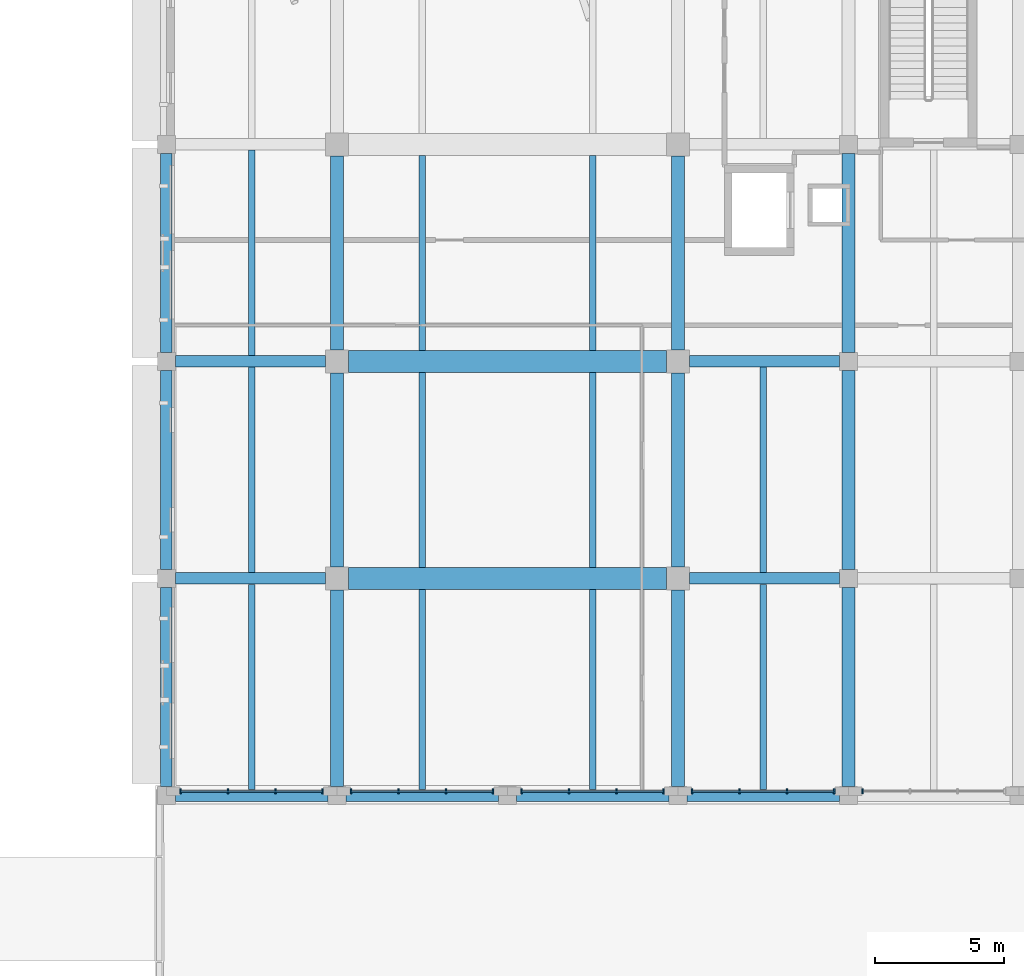
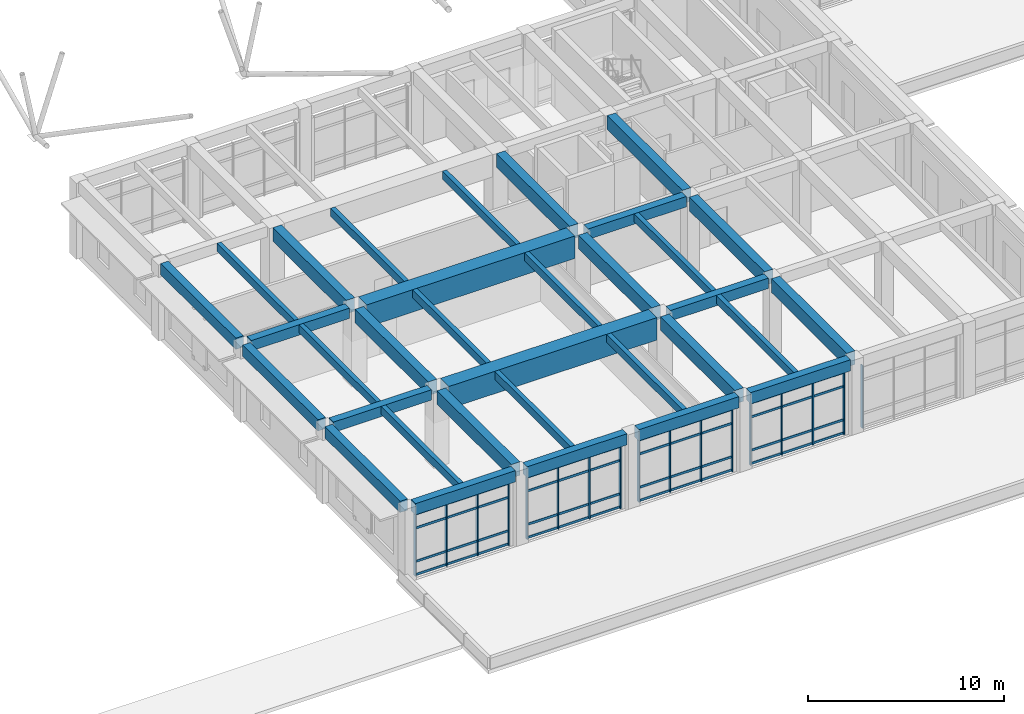
# One storey, part 12 of 75: 33 beams, 33 members, 5 elements without a shape of their own.
"""IFC4 building model written with IfcOpenShell, lengths in metres."""

import ifcopenshell
import ifcopenshell.guid

model = None  # the IFC model being written
_history = None  # IfcOwnerHistory: only IFC2X3 demands one
_inside = {}  # id of a spatial element -> (the spatial element, [elements in it])
_under = {}  # id of a project, library or spatial element -> (it, [spatial elements below it])
_declared = {}  # id of a project -> (the project, [libraries it declares])
_typed = {}  # id of a type object -> (the type object, [elements of that type])
_made_of = {}  # id of a material, layer set ... -> (it, [elements and type objects made of it])


def new_model(schema):
    """Start an empty IFC model of exactly this schema.

    Asked for "IFC4X3", IfcOpenShell would pick the latest addendum, in which some entities
    have other attributes; the version numbers below select the first issue.
    IFC2X3 requires an IfcOwnerHistory on every rooted entity: one is made here for all.
    """
    global model, _history
    if schema == "IFC4X3":
        model = ifcopenshell.file(schema_version=(4, 3, 0, 0))
    else:
        model = ifcopenshell.file(schema=schema)
    _inside.clear()
    _under.clear()
    _declared.clear()
    _typed.clear()
    _made_of.clear()
    _history = None
    if model.schema == "IFC2X3":
        org = make("IfcOrganization", Name="unknown")
        user = make(
            "IfcPersonAndOrganization",
            ThePerson=make("IfcPerson", FamilyName="unknown"),
            TheOrganization=org,
        )
        app = make(
            "IfcApplication",
            ApplicationDeveloper=org,
            Version="unknown",
            ApplicationFullName="unknown",
            ApplicationIdentifier="unknown",
        )
        _history = make(
            "IfcOwnerHistory",
            OwningUser=user,
            OwningApplication=app,
            ChangeAction="ADDED",
            CreationDate=0,
        )
    return model


def make(cls, **values):
    """One entity of the class cls with the attributes given. An attribute that is None is left unset."""
    return model.create_entity(
        cls, **{name: value for name, value in values.items() if value is not None}
    )


def rooted(cls, **values):
    """An entity with a GlobalId (a new one), such as an element, a storey or a relation."""
    return make(cls, GlobalId=ifcopenshell.guid.new(), OwnerHistory=_history, **values)


def si_unit(unit_type, name, prefix=None):
    """IfcSIUnit, for example si_unit("LENGTHUNIT", "METRE", prefix="MILLI")."""
    return make("IfcSIUnit", UnitType=unit_type, Prefix=prefix, Name=name)


def assignment(units):
    """IfcUnitAssignment: the units of a project."""
    return None if units is None else make("IfcUnitAssignment", Units=units)


def point(xyz):
    """IfcCartesianPoint."""
    return None if xyz is None else make("IfcCartesianPoint", Coordinates=xyz)


def direction(xyz):
    """IfcDirection."""
    return None if xyz is None else make("IfcDirection", DirectionRatios=xyz)


def frame(location, z_axis=None, x_axis=None):
    """IfcAxis2Placement3D, a coordinate frame: its origin and axes. An axis left out is left unset."""
    return make(
        "IfcAxis2Placement3D",
        Location=point(location),
        Axis=direction(z_axis),
        RefDirection=direction(x_axis),
    )


def frame_2d(location, x_axis=None):
    """IfcAxis2Placement2D, a coordinate frame in the plane: its origin and x axis."""
    return make(
        "IfcAxis2Placement2D", Location=point(location), RefDirection=direction(x_axis)
    )


def origin():
    """The frame at (0, 0, 0) with its axes left unset."""
    return frame((0.0, 0.0, 0.0))


def origin_2d():
    """The frame at (0, 0) in the plane with its x axis left unset."""
    return frame_2d((0.0, 0.0))


def place(relative_to, where):
    """IfcLocalPlacement: puts the frame where relative to a parent placement (None: the world)."""
    return make(
        "IfcLocalPlacement", PlacementRelTo=relative_to, RelativePlacement=where
    )


def context(
    kind, dimensions, precision=None, world=None, true_north=None, identifier=None
):
    """IfcGeometricRepresentationContext, for example the 3D "Model" context."""
    return make(
        "IfcGeometricRepresentationContext",
        ContextIdentifier=identifier,
        ContextType=kind,
        CoordinateSpaceDimension=dimensions,
        Precision=precision,
        WorldCoordinateSystem=world,
        TrueNorth=true_north,
    )


def subcontext(parent, identifier, kind, view, scale=None):
    """IfcGeometricRepresentationSubContext, for example "Body" below "Model"."""
    return make(
        "IfcGeometricRepresentationSubContext",
        ContextIdentifier=identifier,
        ContextType=kind,
        ParentContext=parent,
        TargetScale=scale,
        TargetView=view,
    )


def project(units=None, contexts=None):
    """IfcProject with its units and contexts."""
    return rooted(
        "IfcProject",
        Name="project",
        RepresentationContexts=contexts,
        UnitsInContext=assignment(units),
    )


def spatial(cls, under=None, at=None, **own):
    """A site, building, storey or space (cls), placed at a placement, below another one or the project."""
    s = rooted(cls, ObjectPlacement=at, **own)
    if under is not None:
        _under.setdefault(under.id(), (under, []))[1].append(s)
    return s


def profile(cls, at=None, kind="AREA", **sizes):
    """A parametric profile (cls). Its sizes go by their IFC names, for example OverallWidth=200.0."""
    return make(cls, ProfileType=kind, Position=at, **sizes)


def rectangle(**sizes):
    """IfcRectangleProfileDef."""
    return profile("IfcRectangleProfileDef", **sizes)


def extrude(swept, where, along, depth):
    """IfcExtrudedAreaSolid: the profile swept, set in the frame where, extruded along a direction by depth."""
    return make(
        "IfcExtrudedAreaSolid",
        SweptArea=swept,
        Position=where,
        ExtrudedDirection=direction(along),
        Depth=depth,
    )


def shape(context_of_items, identifier, shape_type, items):
    """IfcShapeRepresentation: the items that make up one representation, for example the "Body"."""
    return make(
        "IfcShapeRepresentation",
        ContextOfItems=context_of_items,
        RepresentationIdentifier=identifier,
        RepresentationType=shape_type,
        Items=items,
    )


def material(Name=None, Category=None):
    """IfcMaterial."""
    return make("IfcMaterial", Name=Name, Category=Category)


def layer(
    of_material, thickness, ventilated=None, Name=None, Category=None, Priority=None
):
    """IfcMaterialLayer: one layer of a wall or slab, of a material (None: an air gap)."""
    return make(
        "IfcMaterialLayer",
        Material=of_material,
        LayerThickness=thickness,
        IsVentilated=ventilated,
        Name=Name,
        Category=Category,
        Priority=Priority,
    )


def layer_set(layers, Name=None):
    """IfcMaterialLayerSet."""
    return make("IfcMaterialLayerSet", MaterialLayers=layers, LayerSetName=Name)


def material_profile(
    of_material, cross_section, Name=None, Category=None, Priority=None
):
    """IfcMaterialProfile: a cross section and its material."""
    return make(
        "IfcMaterialProfile",
        Name=Name,
        Material=of_material,
        Profile=cross_section,
        Priority=Priority,
        Category=Category,
    )


def profile_set(profiles, Name=None, composite=None):
    """IfcMaterialProfileSet."""
    return make(
        "IfcMaterialProfileSet",
        Name=Name,
        MaterialProfiles=profiles,
        CompositeProfile=composite,
    )


def made_of(thing, what):
    """Note that an element or type object is made of a material, layer set ...; save() writes the relation."""
    if what is not None:
        _made_of.setdefault(what.id(), (what, []))[1].append(thing)
    return thing


def type_object(cls, material=None, **own):
    """A type object (cls), such as IfcWallType, which elements share."""
    return made_of(rooted(cls, **own), material)


def element(
    cls,
    number,
    at=None,
    inside=None,
    cuts=None,
    type_object=None,
    material=None,
    context=None,
    identifier="Body",
    shape_type=None,
    held_by="IfcProductDefinitionShape",
    body=None,
    shapes=None,
    **own,
):
    """One element of the class cls, such as IfcWall. Its Tag is "e" and its number.

    at: its placement. inside: the storey or other place that contains it. cuts: it is an
    opening in that element (IfcRelVoidsElement). A single representation is given by context,
    identifier, shape_type and body (its items); several are given by shapes. held_by: the class
    of the entity that holds the representations. save() writes the other relations.
    """
    e = rooted(cls, Tag="e%d" % number, ObjectPlacement=at, **own)
    if body is not None:
        shapes = [shape(context, identifier, shape_type, body)]
    if shapes is not None:
        e.Representation = make(held_by, Representations=shapes)
    if inside is not None:
        _inside.setdefault(inside.id(), (inside, []))[1].append(e)
    if cuts is not None:
        rooted(
            "IfcRelVoidsElement", RelatingBuildingElement=cuts, RelatedOpeningElement=e
        )
    if type_object is not None:
        _typed.setdefault(type_object.id(), (type_object, []))[1].append(e)
    return made_of(e, material)


def aggregate(whole, parts):
    """IfcRelAggregates: a whole, such as a stair, and the parts it consists of."""
    return rooted("IfcRelAggregates", RelatingObject=whole, RelatedObjects=parts)


def save(model, path):
    """Write the relations noted so far, then the file.

    IfcRelAggregates (storeys below a building ...), IfcRelContainedInSpatialStructure (elements
    in a storey), IfcRelDefinesByType, IfcRelAssociatesMaterial and IfcRelDeclares: one each for
    every whole, place, type object, material and project.
    """
    for whole, parts in _under.values():
        aggregate(whole, parts)
    for where, things in _inside.values():
        rooted(
            "IfcRelContainedInSpatialStructure",
            RelatedElements=things,
            RelatingStructure=where,
        )
    for kind, things in _typed.values():
        rooted("IfcRelDefinesByType", RelatedObjects=things, RelatingType=kind)
    for what, things in _made_of.values():
        rooted("IfcRelAssociatesMaterial", RelatedObjects=things, RelatingMaterial=what)
    for by, libraries in _declared.values():
        rooted("IfcRelDeclares", RelatingContext=by, RelatedDefinitions=libraries)
    model.write(path)


model = new_model("IFC4")

# Units and contexts
model_context = context("Model", 3, precision=1e-05, world=origin(), true_north=direction((0.0, 1.0)))
body_context = subcontext(model_context, "Body", "Model", "MODEL_VIEW")
ifc_project = project(units=[si_unit("LENGTHUNIT", "METRE"), si_unit("AREAUNIT", "SQUARE_METRE"), si_unit("VOLUMEUNIT", "CUBIC_METRE"), si_unit("PLANEANGLEUNIT", "RADIAN"), si_unit("MASSUNIT", "GRAM", prefix="KILO")], contexts=[model_context])

# Site, building, storey
site_placement = place(None, origin())
site = spatial("IfcSite", under=ifc_project, at=site_placement, CompositionType="ELEMENT")
building_placement = place(site_placement, origin())
building = spatial("IfcBuilding", under=site, at=building_placement, Name="Kolvaren Faculty of Natural Sciences", CompositionType="ELEMENT")
storey_placement = place(building_placement, frame((0.0, 0.0, 5.39990234375)))
storey = spatial("IfcBuildingStorey", under=building, at=storey_placement, Name="L01", CompositionType="ELEMENT", Elevation=5.39990234375)

# Curtain wall, member
ifc_material_1 = material(Name="Thermally broken anodised aluminium framing", Category="aluminium")
ifc_layer = layer(ifc_material_1, 0.179931640625)
ifc_layer_set = layer_set([ifc_layer], Name="Thermally broken anodised aluminium framing")
curtain_wall_type = type_object("IfcCurtainWallType", Name="CommonsCurtainWall_CW02", PredefinedType="NOTDEFINED", material=ifc_layer_set)
curtain_wall_1_placement = place(storey_placement, origin())
curtain_wall_1 = element("IfcCurtainWall", 1, at=curtain_wall_1_placement, inside=storey, type_object=curtain_wall_type, Name="L01 unitised curtain wall CW-02 (CW-L01-043)", PredefinedType="NOTDEFINED")
ifc_material_profile_1 = material_profile(ifc_material_1, rectangle(XDim=0.06005859375, YDim=0.179931640625, at=origin_2d()), Name="ALU MUL 60x180")
ifc_profile_set_1 = profile_set([ifc_material_profile_1], Name="Thermally broken anodised aluminium framing")
member_type_1 = type_object("IfcMemberType", Name="CurtainMullion_60x180", PredefinedType="MULLION", material=ifc_profile_set_1)
member_1_placement = place(storey_placement, frame((126.14990234375, 8.760009765625, 0.0), z_axis=(0.0, 0.0, 1.0), x_axis=(-1.0, 0.0, 0.0)))
member_1 = element("IfcMember", 2, at=member_1_placement, type_object=member_type_1, Name="CW-L01-043 vertical mullion 4", PredefinedType="MULLION", context=body_context, shape_type="SweptSolid", body=[
    extrude(rectangle(XDim=0.06005859375, YDim=0.179931640625, at=origin_2d()), origin(), (0.0, 0.0, 1.0), 3.93505859375),
])
aggregate(curtain_wall_1, [member_1])

# Curtain wall, members
curtain_wall_2_placement = place(storey_placement, origin())
curtain_wall_2 = element("IfcCurtainWall", 3, at=curtain_wall_2_placement, inside=storey, type_object=curtain_wall_type, Name="L01 unitised curtain wall CW-02 (CW-L01-044)", PredefinedType="NOTDEFINED")
member_2_placement = place(storey_placement, frame((125.050048828125, 8.760009765625, 0.0), z_axis=(0.0, 0.0, 1.0), x_axis=(-1.0, 0.0, 0.0)))
member_2 = element("IfcMember", 4, at=member_2_placement, type_object=member_type_1, Name="CW-L01-044 vertical mullion 1", PredefinedType="MULLION", context=body_context, shape_type="SweptSolid", body=[
    extrude(rectangle(XDim=0.06005859375, YDim=0.179931640625, at=origin_2d()), origin(), (0.0, 0.0, 1.0), 3.93505859375),
])
member_3_placement = place(storey_placement, frame((123.216796875, 8.760009765625, 0.0), z_axis=(0.0, 0.0, 1.0), x_axis=(-1.0, 0.0, 0.0)))
member_3 = element("IfcMember", 5, at=member_3_placement, type_object=member_type_1, Name="CW-L01-044 vertical mullion 2", PredefinedType="MULLION", context=body_context, shape_type="SweptSolid", body=[
    extrude(rectangle(XDim=0.06005859375, YDim=0.179931640625, at=origin_2d()), origin(), (0.0, 0.0, 1.0), 3.93505859375),
])
member_4_placement = place(storey_placement, frame((121.38330078125, 8.760009765625, 0.0), z_axis=(0.0, 0.0, 1.0), x_axis=(-1.0, 0.0, 0.0)))
member_4 = element("IfcMember", 6, at=member_4_placement, type_object=member_type_1, Name="CW-L01-044 vertical mullion 3", PredefinedType="MULLION", context=body_context, shape_type="SweptSolid", body=[
    extrude(rectangle(XDim=0.06005859375, YDim=0.179931640625, at=origin_2d()), origin(), (0.0, 0.0, 1.0), 3.93505859375),
])
member_5_placement = place(storey_placement, frame((119.550048828125, 8.760009765625, 0.0), z_axis=(0.0, 0.0, 1.0), x_axis=(-1.0, 0.0, 0.0)))
member_5 = element("IfcMember", 7, at=member_5_placement, type_object=member_type_1, Name="CW-L01-044 vertical mullion 4", PredefinedType="MULLION", context=body_context, shape_type="SweptSolid", body=[
    extrude(rectangle(XDim=0.06005859375, YDim=0.179931640625, at=origin_2d()), origin(), (0.0, 0.0, 1.0), 3.93505859375),
])

curtain_wall_3_placement = place(storey_placement, origin())
curtain_wall_3 = element("IfcCurtainWall", 8, at=curtain_wall_3_placement, inside=storey, type_object=curtain_wall_type, Name="L01 unitised curtain wall CW-02 (CW-L01-045)", PredefinedType="NOTDEFINED")
member_6_placement = place(storey_placement, frame((118.449951171875, 8.760009765625, 0.0), z_axis=(0.0, 0.0, 1.0), x_axis=(-1.0, 0.0, 0.0)))
member_6 = element("IfcMember", 9, at=member_6_placement, type_object=member_type_1, Name="CW-L01-045 vertical mullion 1", PredefinedType="MULLION", context=body_context, shape_type="SweptSolid", body=[
    extrude(rectangle(XDim=0.06005859375, YDim=0.179931640625, at=origin_2d()), origin(), (0.0, 0.0, 1.0), 3.93505859375),
])
member_7_placement = place(storey_placement, frame((116.61669921875, 8.760009765625, 0.0), z_axis=(0.0, 0.0, 1.0), x_axis=(-1.0, 0.0, 0.0)))
member_7 = element("IfcMember", 10, at=member_7_placement, type_object=member_type_1, Name="CW-L01-045 vertical mullion 2", PredefinedType="MULLION", context=body_context, shape_type="SweptSolid", body=[
    extrude(rectangle(XDim=0.06005859375, YDim=0.179931640625, at=origin_2d()), origin(), (0.0, 0.0, 1.0), 3.93505859375),
])
member_8_placement = place(storey_placement, frame((114.783203125, 8.760009765625, 0.0), z_axis=(0.0, 0.0, 1.0), x_axis=(-1.0, 0.0, 0.0)))
member_8 = element("IfcMember", 11, at=member_8_placement, type_object=member_type_1, Name="CW-L01-045 vertical mullion 3", PredefinedType="MULLION", context=body_context, shape_type="SweptSolid", body=[
    extrude(rectangle(XDim=0.06005859375, YDim=0.179931640625, at=origin_2d()), origin(), (0.0, 0.0, 1.0), 3.93505859375),
])
member_9_placement = place(storey_placement, frame((112.949951171875, 8.760009765625, 0.0), z_axis=(0.0, 0.0, 1.0), x_axis=(-1.0, 0.0, 0.0)))
member_9 = element("IfcMember", 12, at=member_9_placement, type_object=member_type_1, Name="CW-L01-045 vertical mullion 4", PredefinedType="MULLION", context=body_context, shape_type="SweptSolid", body=[
    extrude(rectangle(XDim=0.06005859375, YDim=0.179931640625, at=origin_2d()), origin(), (0.0, 0.0, 1.0), 3.93505859375),
])

curtain_wall_4_placement = place(storey_placement, origin())
curtain_wall_4 = element("IfcCurtainWall", 13, at=curtain_wall_4_placement, inside=storey, type_object=curtain_wall_type, Name="L01 unitised curtain wall CW-02 (CW-L01-046)", PredefinedType="NOTDEFINED")
member_10_placement = place(storey_placement, frame((111.85009765625, 8.760009765625, 0.0), z_axis=(0.0, 0.0, 1.0), x_axis=(-1.0, 0.0, 0.0)))
member_10 = element("IfcMember", 14, at=member_10_placement, type_object=member_type_1, Name="CW-L01-046 vertical mullion 1", PredefinedType="MULLION", context=body_context, shape_type="SweptSolid", body=[
    extrude(rectangle(XDim=0.06005859375, YDim=0.179931640625, at=origin_2d()), origin(), (0.0, 0.0, 1.0), 3.93505859375),
])
member_11_placement = place(storey_placement, frame((110.0166015625, 8.760009765625, 0.0), z_axis=(0.0, 0.0, 1.0), x_axis=(-1.0, 0.0, 0.0)))
member_11 = element("IfcMember", 15, at=member_11_placement, type_object=member_type_1, Name="CW-L01-046 vertical mullion 2", PredefinedType="MULLION", context=body_context, shape_type="SweptSolid", body=[
    extrude(rectangle(XDim=0.06005859375, YDim=0.179931640625, at=origin_2d()), origin(), (0.0, 0.0, 1.0), 3.93505859375),
])
member_12_placement = place(storey_placement, frame((108.183349609375, 8.760009765625, 0.0), z_axis=(0.0, 0.0, 1.0), x_axis=(-1.0, 0.0, 0.0)))
member_12 = element("IfcMember", 16, at=member_12_placement, type_object=member_type_1, Name="CW-L01-046 vertical mullion 3", PredefinedType="MULLION", context=body_context, shape_type="SweptSolid", body=[
    extrude(rectangle(XDim=0.06005859375, YDim=0.179931640625, at=origin_2d()), origin(), (0.0, 0.0, 1.0), 3.93505859375),
])
member_13_placement = place(storey_placement, frame((106.35009765625, 8.760009765625, 0.0), z_axis=(0.0, 0.0, 1.0), x_axis=(-1.0, 0.0, 0.0)))
member_13 = element("IfcMember", 17, at=member_13_placement, type_object=member_type_1, Name="CW-L01-046 vertical mullion 4", PredefinedType="MULLION", context=body_context, shape_type="SweptSolid", body=[
    extrude(rectangle(XDim=0.06005859375, YDim=0.179931640625, at=origin_2d()), origin(), (0.0, 0.0, 1.0), 3.93505859375),
])

curtain_wall_5_placement = place(storey_placement, origin())
curtain_wall_5 = element("IfcCurtainWall", 18, at=curtain_wall_5_placement, inside=storey, type_object=curtain_wall_type, Name="L01 unitised curtain wall CW-02 (CW-L01-047)", PredefinedType="NOTDEFINED")
member_14_placement = place(storey_placement, frame((105.25, 8.760009765625, 0.0), z_axis=(0.0, 0.0, 1.0), x_axis=(-1.0, 0.0, 0.0)))
member_14 = element("IfcMember", 19, at=member_14_placement, type_object=member_type_1, Name="CW-L01-047 vertical mullion 1", PredefinedType="MULLION", context=body_context, shape_type="SweptSolid", body=[
    extrude(rectangle(XDim=0.06005859375, YDim=0.179931640625, at=origin_2d()), origin(), (0.0, 0.0, 1.0), 3.93505859375),
])
member_15_placement = place(storey_placement, frame((103.416748046875, 8.760009765625, 0.0), z_axis=(0.0, 0.0, 1.0), x_axis=(-1.0, 0.0, 0.0)))
member_15 = element("IfcMember", 20, at=member_15_placement, type_object=member_type_1, Name="CW-L01-047 vertical mullion 2", PredefinedType="MULLION", context=body_context, shape_type="SweptSolid", body=[
    extrude(rectangle(XDim=0.06005859375, YDim=0.179931640625, at=origin_2d()), origin(), (0.0, 0.0, 1.0), 3.93505859375),
])
member_16_placement = place(storey_placement, frame((101.583251953125, 8.760009765625, 0.0), z_axis=(0.0, 0.0, 1.0), x_axis=(-1.0, 0.0, 0.0)))
member_16 = element("IfcMember", 21, at=member_16_placement, type_object=member_type_1, Name="CW-L01-047 vertical mullion 3", PredefinedType="MULLION", context=body_context, shape_type="SweptSolid", body=[
    extrude(rectangle(XDim=0.06005859375, YDim=0.179931640625, at=origin_2d()), origin(), (0.0, 0.0, 1.0), 3.93505859375),
])
member_17_placement = place(storey_placement, frame((99.75, 8.760009765625, 0.0), z_axis=(0.0, 0.0, 1.0), x_axis=(-1.0, 0.0, 0.0)))
member_17 = element("IfcMember", 22, at=member_17_placement, type_object=member_type_1, Name="CW-L01-047 vertical mullion 4", PredefinedType="MULLION", context=body_context, shape_type="SweptSolid", body=[
    extrude(rectangle(XDim=0.06005859375, YDim=0.179931640625, at=origin_2d()), origin(), (0.0, 0.0, 1.0), 3.93505859375),
])

# Member
ifc_material_profile_2 = material_profile(ifc_material_1, rectangle(XDim=0.06005859375, YDim=0.139892578125, at=origin_2d()), Name="ALU TRN 60x140")
ifc_profile_set_2 = profile_set([ifc_material_profile_2], Name="Thermally broken anodised aluminium framing")
member_type_2 = type_object("IfcMemberType", Name="CurtainTransom_60x140", PredefinedType="USERDEFINED", material=ifc_profile_set_2)
member_18_placement = place(storey_placement, frame((125.050048828125, 8.760009765625, 0.080078125), z_axis=(-1.0, 0.0, 0.0), x_axis=(0.0, -1.0, 0.0)))
member_18 = element("IfcMember", 23, at=member_18_placement, type_object=member_type_2, Name="CW-L01-044 horizontal transom 1", ObjectType="TRANSOM", PredefinedType="USERDEFINED", context=body_context, shape_type="SweptSolid", body=[
    extrude(rectangle(XDim=0.06005859375, YDim=0.139892578125, at=origin_2d()), origin(), (0.0, 0.0, 1.0), 5.5),
])

member_19_placement = place(storey_placement, frame((125.050048828125, 8.760009765625, 0.900146484375), z_axis=(-1.0, 0.0, 0.0), x_axis=(0.0, -1.0, 0.0)))
member_19 = element("IfcMember", 24, at=member_19_placement, type_object=member_type_2, Name="CW-L01-044 horizontal transom 2", ObjectType="TRANSOM", PredefinedType="USERDEFINED", context=body_context, shape_type="SweptSolid", body=[
    extrude(rectangle(XDim=0.06005859375, YDim=0.139892578125, at=origin_2d()), origin(), (0.0, 0.0, 1.0), 5.5),
])

member_20_placement = place(storey_placement, frame((125.050048828125, 8.760009765625, 2.985107421875), z_axis=(-1.0, 0.0, 0.0), x_axis=(0.0, -1.0, 0.0)))
member_20 = element("IfcMember", 25, at=member_20_placement, type_object=member_type_2, Name="CW-L01-044 horizontal transom 3", ObjectType="TRANSOM", PredefinedType="USERDEFINED", context=body_context, shape_type="SweptSolid", body=[
    extrude(rectangle(XDim=0.06005859375, YDim=0.139892578125, at=origin_2d()), origin(), (0.0, 0.0, 1.0), 5.5),
])

member_21_placement = place(storey_placement, frame((125.050048828125, 8.760009765625, 3.85498046875), z_axis=(-1.0, 0.0, 0.0), x_axis=(0.0, -1.0, 0.0)))
member_21 = element("IfcMember", 26, at=member_21_placement, type_object=member_type_2, Name="CW-L01-044 horizontal transom 4", ObjectType="TRANSOM", PredefinedType="USERDEFINED", context=body_context, shape_type="SweptSolid", body=[
    extrude(rectangle(XDim=0.06005859375, YDim=0.139892578125, at=origin_2d()), origin(), (0.0, 0.0, 1.0), 5.5),
])

aggregate(curtain_wall_2, [member_2, member_3, member_4, member_5, member_18, member_19, member_20, member_21])

member_22_placement = place(storey_placement, frame((118.449951171875, 8.760009765625, 0.080078125), z_axis=(-1.0, 0.0, 0.0), x_axis=(0.0, -1.0, 0.0)))
member_22 = element("IfcMember", 27, at=member_22_placement, type_object=member_type_2, Name="CW-L01-045 horizontal transom 1", ObjectType="TRANSOM", PredefinedType="USERDEFINED", context=body_context, shape_type="SweptSolid", body=[
    extrude(rectangle(XDim=0.06005859375, YDim=0.139892578125, at=origin_2d()), origin(), (0.0, 0.0, 1.0), 5.5),
])

member_23_placement = place(storey_placement, frame((118.449951171875, 8.760009765625, 0.900146484375), z_axis=(-1.0, 0.0, 0.0), x_axis=(0.0, -1.0, 0.0)))
member_23 = element("IfcMember", 28, at=member_23_placement, type_object=member_type_2, Name="CW-L01-045 horizontal transom 2", ObjectType="TRANSOM", PredefinedType="USERDEFINED", context=body_context, shape_type="SweptSolid", body=[
    extrude(rectangle(XDim=0.06005859375, YDim=0.139892578125, at=origin_2d()), origin(), (0.0, 0.0, 1.0), 5.5),
])

member_24_placement = place(storey_placement, frame((118.449951171875, 8.760009765625, 2.985107421875), z_axis=(-1.0, 0.0, 0.0), x_axis=(0.0, -1.0, 0.0)))
member_24 = element("IfcMember", 29, at=member_24_placement, type_object=member_type_2, Name="CW-L01-045 horizontal transom 3", ObjectType="TRANSOM", PredefinedType="USERDEFINED", context=body_context, shape_type="SweptSolid", body=[
    extrude(rectangle(XDim=0.06005859375, YDim=0.139892578125, at=origin_2d()), origin(), (0.0, 0.0, 1.0), 5.5),
])

member_25_placement = place(storey_placement, frame((118.449951171875, 8.760009765625, 3.85498046875), z_axis=(-1.0, 0.0, 0.0), x_axis=(0.0, -1.0, 0.0)))
member_25 = element("IfcMember", 30, at=member_25_placement, type_object=member_type_2, Name="CW-L01-045 horizontal transom 4", ObjectType="TRANSOM", PredefinedType="USERDEFINED", context=body_context, shape_type="SweptSolid", body=[
    extrude(rectangle(XDim=0.06005859375, YDim=0.139892578125, at=origin_2d()), origin(), (0.0, 0.0, 1.0), 5.5),
])

aggregate(curtain_wall_3, [member_6, member_7, member_8, member_9, member_22, member_23, member_24, member_25])

member_26_placement = place(storey_placement, frame((111.85009765625, 8.760009765625, 0.080078125), z_axis=(-1.0, 0.0, 0.0), x_axis=(0.0, -1.0, 0.0)))
member_26 = element("IfcMember", 31, at=member_26_placement, type_object=member_type_2, Name="CW-L01-046 horizontal transom 1", ObjectType="TRANSOM", PredefinedType="USERDEFINED", context=body_context, shape_type="SweptSolid", body=[
    extrude(rectangle(XDim=0.06005859375, YDim=0.139892578125, at=origin_2d()), origin(), (0.0, 0.0, 1.0), 5.5),
])

member_27_placement = place(storey_placement, frame((111.85009765625, 8.760009765625, 0.900146484375), z_axis=(-1.0, 0.0, 0.0), x_axis=(0.0, -1.0, 0.0)))
member_27 = element("IfcMember", 32, at=member_27_placement, type_object=member_type_2, Name="CW-L01-046 horizontal transom 2", ObjectType="TRANSOM", PredefinedType="USERDEFINED", context=body_context, shape_type="SweptSolid", body=[
    extrude(rectangle(XDim=0.06005859375, YDim=0.139892578125, at=origin_2d()), origin(), (0.0, 0.0, 1.0), 5.5),
])

member_28_placement = place(storey_placement, frame((111.85009765625, 8.760009765625, 2.985107421875), z_axis=(-1.0, 0.0, 0.0), x_axis=(0.0, -1.0, 0.0)))
member_28 = element("IfcMember", 33, at=member_28_placement, type_object=member_type_2, Name="CW-L01-046 horizontal transom 3", ObjectType="TRANSOM", PredefinedType="USERDEFINED", context=body_context, shape_type="SweptSolid", body=[
    extrude(rectangle(XDim=0.06005859375, YDim=0.139892578125, at=origin_2d()), origin(), (0.0, 0.0, 1.0), 5.5),
])

member_29_placement = place(storey_placement, frame((111.85009765625, 8.760009765625, 3.85498046875), z_axis=(-1.0, 0.0, 0.0), x_axis=(0.0, -1.0, 0.0)))
member_29 = element("IfcMember", 34, at=member_29_placement, type_object=member_type_2, Name="CW-L01-046 horizontal transom 4", ObjectType="TRANSOM", PredefinedType="USERDEFINED", context=body_context, shape_type="SweptSolid", body=[
    extrude(rectangle(XDim=0.06005859375, YDim=0.139892578125, at=origin_2d()), origin(), (0.0, 0.0, 1.0), 5.5),
])

aggregate(curtain_wall_4, [member_10, member_11, member_12, member_13, member_26, member_27, member_28, member_29])

member_30_placement = place(storey_placement, frame((105.25, 8.760009765625, 0.080078125), z_axis=(-1.0, 0.0, 0.0), x_axis=(0.0, -1.0, 0.0)))
member_30 = element("IfcMember", 35, at=member_30_placement, type_object=member_type_2, Name="CW-L01-047 horizontal transom 1", ObjectType="TRANSOM", PredefinedType="USERDEFINED", context=body_context, shape_type="SweptSolid", body=[
    extrude(rectangle(XDim=0.06005859375, YDim=0.139892578125, at=origin_2d()), origin(), (0.0, 0.0, 1.0), 5.5),
])

member_31_placement = place(storey_placement, frame((105.25, 8.760009765625, 0.900146484375), z_axis=(-1.0, 0.0, 0.0), x_axis=(0.0, -1.0, 0.0)))
member_31 = element("IfcMember", 36, at=member_31_placement, type_object=member_type_2, Name="CW-L01-047 horizontal transom 2", ObjectType="TRANSOM", PredefinedType="USERDEFINED", context=body_context, shape_type="SweptSolid", body=[
    extrude(rectangle(XDim=0.06005859375, YDim=0.139892578125, at=origin_2d()), origin(), (0.0, 0.0, 1.0), 5.5),
])

member_32_placement = place(storey_placement, frame((105.25, 8.760009765625, 2.985107421875), z_axis=(-1.0, 0.0, 0.0), x_axis=(0.0, -1.0, 0.0)))
member_32 = element("IfcMember", 37, at=member_32_placement, type_object=member_type_2, Name="CW-L01-047 horizontal transom 3", ObjectType="TRANSOM", PredefinedType="USERDEFINED", context=body_context, shape_type="SweptSolid", body=[
    extrude(rectangle(XDim=0.06005859375, YDim=0.139892578125, at=origin_2d()), origin(), (0.0, 0.0, 1.0), 5.5),
])

member_33_placement = place(storey_placement, frame((105.25, 8.760009765625, 3.85498046875), z_axis=(-1.0, 0.0, 0.0), x_axis=(0.0, -1.0, 0.0)))
member_33 = element("IfcMember", 38, at=member_33_placement, type_object=member_type_2, Name="CW-L01-047 horizontal transom 4", ObjectType="TRANSOM", PredefinedType="USERDEFINED", context=body_context, shape_type="SweptSolid", body=[
    extrude(rectangle(XDim=0.06005859375, YDim=0.139892578125, at=origin_2d()), origin(), (0.0, 0.0, 1.0), 5.5),
])

aggregate(curtain_wall_5, [member_14, member_15, member_16, member_17, member_30, member_31, member_32, member_33])

# Beams
ifc_material_2 = material(Name="Concrete C35/45", Category="concrete")
ifc_material_profile_3 = material_profile(ifc_material_2, rectangle(XDim=0.449951171875, YDim=0.64990234375, at=origin_2d()), Name="RC BM 450x650")
ifc_profile_set_3 = profile_set([ifc_material_profile_3], Name="Concrete C35/45")
beam_type_1 = type_object("IfcBeamType", Name="GridBeam_450x650", PredefinedType="BEAM", material=ifc_profile_set_3)
for number, where, z_axis, x_axis, name in (
    (39, (99.550048828125, 17.0, 4.47509765625), (1.0, 0.0, 0.0), (0.0, 1.0, 0.0), "L01 beam BM-65 on grid C"),
    (40, (119.449951171875, 17.0, 4.47509765625), (1.0, 0.0, 0.0), (0.0, 1.0, 0.0), "L01 beam BM-65 on grid C"),
    (41, (99.550048828125, 25.39990234375, 4.47509765625), (1.0, 0.0, 0.0), (0.0, 1.0, 0.0), "L01 beam BM-65 on grid D"),
    (42, (119.449951171875, 25.39990234375, 4.47509765625), (1.0, 0.0, 0.0), (0.0, 1.0, 0.0), "L01 beam BM-65 on grid D"),
):
    element("IfcBeam", number, at=place(storey_placement, frame(where, z_axis=z_axis, x_axis=x_axis)), inside=storey, type_object=beam_type_1, Name=name, PredefinedType="BEAM", context=body_context, shape_type="SweptSolid", body=[
        extrude(rectangle(XDim=0.449951171875, YDim=0.64990234375, at=origin_2d()), origin(), (0.0, 0.0, 1.0), 5.800048828125),
    ])
ifc_material_profile_4 = material_profile(ifc_material_2, rectangle(XDim=0.260009765625, YDim=0.5, at=origin_2d()), Name="RC JST 260x500")
ifc_profile_set_4 = profile_set([ifc_material_profile_4], Name="Concrete C35/45")
beam_type_2 = type_object("IfcBeamType", Name="LabRibJoist_260x500", PredefinedType="JOIST", material=ifc_profile_set_4)
for number, where, z_axis, x_axis, name in (
    (43, (102.5, 8.824951171875, 4.550048828125), (0.0, 1.0, 0.0), (-1.0, 0.0, 0.0), "L01 ribbed laboratory slab joist JS-50"),
    (44, (102.5, 17.22509765625, 4.550048828125), (0.0, 1.0, 0.0), (-1.0, 0.0, 0.0), "L01 ribbed laboratory slab joist JS-50"),
    (45, (102.5, 25.625, 4.550048828125), (0.0, 1.0, 0.0), (-1.0, 0.0, 0.0), "L01 ribbed laboratory slab joist JS-50"),
):
    element("IfcBeam", number, at=place(storey_placement, frame(where, z_axis=z_axis, x_axis=x_axis)), inside=storey, type_object=beam_type_2, Name=name, PredefinedType="JOIST", context=body_context, shape_type="SweptSolid", body=[
        extrude(rectangle(XDim=0.260009765625, YDim=0.5, at=origin_2d()), origin(), (0.0, 0.0, 1.0), 7.949951171875),
    ])
beam_1_placement = place(storey_placement, frame((109.10009765625, 8.824951171875, 4.550048828125), z_axis=(0.0, 1.0, 0.0), x_axis=(-1.0, 0.0, 0.0)))
element("IfcBeam", 46, at=beam_1_placement, inside=storey, type_object=beam_type_2, Name="L01 ribbed laboratory slab joist JS-50", PredefinedType="JOIST", context=body_context, shape_type="SweptSolid", body=[
    extrude(rectangle(XDim=0.260009765625, YDim=0.5, at=origin_2d()), origin(), (0.0, 0.0, 1.0), 7.75),
])
for number, where, z_axis, x_axis, name in (
    (47, (109.10009765625, 17.425048828125, 4.550048828125), (0.0, 1.0, 0.0), (-1.0, 0.0, 0.0), "L01 ribbed laboratory slab joist JS-50"),
    (48, (109.10009765625, 25.824951171875, 4.550048828125), (0.0, 1.0, 0.0), (-1.0, 0.0, 0.0), "L01 ribbed laboratory slab joist JS-50"),
):
    element("IfcBeam", number, at=place(storey_placement, frame(where, z_axis=z_axis, x_axis=x_axis)), inside=storey, type_object=beam_type_2, Name=name, PredefinedType="JOIST", context=body_context, shape_type="SweptSolid", body=[
        extrude(rectangle(XDim=0.260009765625, YDim=0.5, at=origin_2d()), origin(), (0.0, 0.0, 1.0), 7.550048828125),
    ])
beam_2_placement = place(storey_placement, frame((115.699951171875, 8.824951171875, 4.550048828125), z_axis=(0.0, 1.0, 0.0), x_axis=(-1.0, 0.0, 0.0)))
element("IfcBeam", 49, at=beam_2_placement, inside=storey, type_object=beam_type_2, Name="L01 ribbed laboratory slab joist JS-50", PredefinedType="JOIST", context=body_context, shape_type="SweptSolid", body=[
    extrude(rectangle(XDim=0.260009765625, YDim=0.5, at=origin_2d()), origin(), (0.0, 0.0, 1.0), 7.75),
])
for number, where, z_axis, x_axis, name in (
    (50, (115.699951171875, 17.425048828125, 4.550048828125), (0.0, 1.0, 0.0), (-1.0, 0.0, 0.0), "L01 ribbed laboratory slab joist JS-50"),
    (51, (115.699951171875, 25.824951171875, 4.550048828125), (0.0, 1.0, 0.0), (-1.0, 0.0, 0.0), "L01 ribbed laboratory slab joist JS-50"),
):
    element("IfcBeam", number, at=place(storey_placement, frame(where, z_axis=z_axis, x_axis=x_axis)), inside=storey, type_object=beam_type_2, Name=name, PredefinedType="JOIST", context=body_context, shape_type="SweptSolid", body=[
        extrude(rectangle(XDim=0.260009765625, YDim=0.5, at=origin_2d()), origin(), (0.0, 0.0, 1.0), 7.550048828125),
    ])
for number, where, z_axis, x_axis, name in (
    (52, (122.300048828125, 8.824951171875, 4.550048828125), (0.0, 1.0, 0.0), (-1.0, 0.0, 0.0), "L01 ribbed laboratory slab joist JS-50"),
    (53, (122.300048828125, 17.22509765625, 4.550048828125), (0.0, 1.0, 0.0), (-1.0, 0.0, 0.0), "L01 ribbed laboratory slab joist JS-50"),
):
    element("IfcBeam", number, at=place(storey_placement, frame(where, z_axis=z_axis, x_axis=x_axis)), inside=storey, type_object=beam_type_2, Name=name, PredefinedType="JOIST", context=body_context, shape_type="SweptSolid", body=[
        extrude(rectangle(XDim=0.260009765625, YDim=0.5, at=origin_2d()), origin(), (0.0, 0.0, 1.0), 7.949951171875),
    ])
ifc_material_profile_5 = material_profile(ifc_material_2, rectangle(XDim=0.449951171875, YDim=0.699951171875, at=origin_2d()), Name="RC SP 450x700")
ifc_profile_set_5 = profile_set([ifc_material_profile_5], Name="Concrete C35/45")
beam_type_3 = type_object("IfcBeamType", Name="PerimeterSpandrel_450x700", PredefinedType="SPANDREL", material=ifc_profile_set_5)
beam_3_placement = place(storey_placement, frame((99.550048828125, 8.60009765625, 4.4501953125), z_axis=(1.0, 0.0, 0.0), x_axis=(0.0, 1.0, 0.0)))
element("IfcBeam", 54, at=beam_3_placement, inside=storey, type_object=beam_type_3, Name="L01 spandrel SP-70 on grid B", PredefinedType="SPANDREL", context=body_context, shape_type="SweptSolid", body=[
    extrude(rectangle(XDim=0.449951171875, YDim=0.699951171875, at=origin_2d()), origin(), (0.0, 0.0, 1.0), 5.89990234375),
])
beam_4_placement = place(storey_placement, frame((106.14990234375, 8.60009765625, 4.4501953125), z_axis=(1.0, 0.0, 0.0), x_axis=(0.0, 1.0, 0.0)))
element("IfcBeam", 55, at=beam_4_placement, inside=storey, type_object=beam_type_3, Name="L01 spandrel SP-70 on grid B", PredefinedType="SPANDREL", context=body_context, shape_type="SweptSolid", body=[
    extrude(rectangle(XDim=0.449951171875, YDim=0.699951171875, at=origin_2d()), origin(), (0.0, 0.0, 1.0), 5.900146484375),
])
for number, where, z_axis, x_axis, name in (
    (56, (112.75, 8.60009765625, 4.4501953125), (1.0, 0.0, 0.0), (0.0, 1.0, 0.0), "L01 spandrel SP-70 on grid B"),
    (57, (119.35009765625, 8.60009765625, 4.4501953125), (1.0, 0.0, 0.0), (0.0, 1.0, 0.0), "L01 spandrel SP-70 on grid B"),
):
    element("IfcBeam", number, at=place(storey_placement, frame(where, z_axis=z_axis, x_axis=x_axis)), inside=storey, type_object=beam_type_3, Name=name, PredefinedType="SPANDREL", context=body_context, shape_type="SweptSolid", body=[
        extrude(rectangle(XDim=0.449951171875, YDim=0.699951171875, at=origin_2d()), origin(), (0.0, 0.0, 1.0), 5.89990234375),
    ])
for number, where, z_axis, x_axis, name in (
    (58, (99.199951171875, 8.949951171875, 4.4501953125), (0.0, 1.0, 0.0), (-1.0, 0.0, 0.0), "L01 girder SP-70 on grid 16"),
    (59, (99.199951171875, 17.35009765625, 4.4501953125), (0.0, 1.0, 0.0), (-1.0, 0.0, 0.0), "L01 girder SP-70 on grid 16"),
    (60, (99.199951171875, 25.75, 4.4501953125), (0.0, 1.0, 0.0), (-1.0, 0.0, 0.0), "L01 girder SP-70 on grid 16"),
):
    element("IfcBeam", number, at=place(storey_placement, frame(where, z_axis=z_axis, x_axis=x_axis)), inside=storey, type_object=beam_type_3, Name=name, PredefinedType="SPANDREL", context=body_context, shape_type="SweptSolid", body=[
        extrude(rectangle(XDim=0.449951171875, YDim=0.699951171875, at=origin_2d()), origin(), (0.0, 0.0, 1.0), 7.699951171875),
    ])
ifc_material_profile_6 = material_profile(ifc_material_2, rectangle(XDim=0.5, YDim=0.85009765625, at=origin_2d()), Name="RC BM 500x850")
ifc_profile_set_6 = profile_set([ifc_material_profile_6], Name="Concrete C35/45")
beam_type_4 = type_object("IfcBeamType", Name="PrimaryGirder_500x850", PredefinedType="BEAM", material=ifc_profile_set_6)
beam_5_placement = place(storey_placement, frame((105.800048828125, 8.949951171875, 4.375), z_axis=(0.0, 1.0, 0.0), x_axis=(-1.0, 0.0, 0.0)))
element("IfcBeam", 61, at=beam_5_placement, inside=storey, type_object=beam_type_4, Name="L01 girder BG-85 on grid 17", PredefinedType="BEAM", context=body_context, shape_type="SweptSolid", body=[
    extrude(rectangle(XDim=0.5, YDim=0.85009765625, at=origin_2d()), origin(), (0.0, 0.0, 1.0), 7.60009765625),
])
for number, where, z_axis, x_axis, name in (
    (62, (105.800048828125, 17.449951171875, 4.375), (0.0, 1.0, 0.0), (-1.0, 0.0, 0.0), "L01 girder BG-85 on grid 17"),
    (63, (105.800048828125, 25.85009765625, 4.375), (0.0, 1.0, 0.0), (-1.0, 0.0, 0.0), "L01 girder BG-85 on grid 17"),
):
    element("IfcBeam", number, at=place(storey_placement, frame(where, z_axis=z_axis, x_axis=x_axis)), inside=storey, type_object=beam_type_4, Name=name, PredefinedType="BEAM", context=body_context, shape_type="SweptSolid", body=[
        extrude(rectangle(XDim=0.5, YDim=0.85009765625, at=origin_2d()), origin(), (0.0, 0.0, 1.0), 7.5),
    ])
beam_6_placement = place(storey_placement, frame((119.0, 8.949951171875, 4.375), z_axis=(0.0, 1.0, 0.0), x_axis=(-1.0, 0.0, 0.0)))
element("IfcBeam", 64, at=beam_6_placement, inside=storey, type_object=beam_type_4, Name="L01 girder BG-85 on grid 19", PredefinedType="BEAM", context=body_context, shape_type="SweptSolid", body=[
    extrude(rectangle(XDim=0.5, YDim=0.85009765625, at=origin_2d()), origin(), (0.0, 0.0, 1.0), 7.60009765625),
])
for number, where, z_axis, x_axis, name in (
    (65, (119.0, 17.449951171875, 4.375), (0.0, 1.0, 0.0), (-1.0, 0.0, 0.0), "L01 girder BG-85 on grid 19"),
    (66, (119.0, 25.85009765625, 4.375), (0.0, 1.0, 0.0), (-1.0, 0.0, 0.0), "L01 girder BG-85 on grid 19"),
):
    element("IfcBeam", number, at=place(storey_placement, frame(where, z_axis=z_axis, x_axis=x_axis)), inside=storey, type_object=beam_type_4, Name=name, PredefinedType="BEAM", context=body_context, shape_type="SweptSolid", body=[
        extrude(rectangle(XDim=0.5, YDim=0.85009765625, at=origin_2d()), origin(), (0.0, 0.0, 1.0), 7.5),
    ])
for number, where, z_axis, x_axis, name in (
    (67, (125.60009765625, 8.949951171875, 4.375), (0.0, 1.0, 0.0), (-1.0, 0.0, 0.0), "L01 girder BG-85 on grid 20"),
    (68, (125.60009765625, 17.35009765625, 4.375), (0.0, 1.0, 0.0), (-1.0, 0.0, 0.0), "L01 girder BG-85 on grid 20"),
    (69, (125.60009765625, 25.75, 4.375), (0.0, 1.0, 0.0), (-1.0, 0.0, 0.0), "L01 girder BG-85 on grid 20"),
):
    element("IfcBeam", number, at=place(storey_placement, frame(where, z_axis=z_axis, x_axis=x_axis)), inside=storey, type_object=beam_type_4, Name=name, PredefinedType="BEAM", context=body_context, shape_type="SweptSolid", body=[
        extrude(rectangle(XDim=0.5, YDim=0.85009765625, at=origin_2d()), origin(), (0.0, 0.0, 1.0), 7.699951171875),
    ])
ifc_material_3 = material(Name="Concrete C40/50", Category="concrete")
ifc_material_profile_7 = material_profile(ifc_material_3, rectangle(XDim=0.85009765625, YDim=1.39990234375, at=origin_2d()), Name="RC TG 850x1400")
ifc_profile_set_7 = profile_set([ifc_material_profile_7], Name="Concrete C40/50")
beam_type_5 = type_object("IfcBeamType", Name="TransferGirder_850x1400", PredefinedType="BEAM", material=ifc_profile_set_7)
for number, where, z_axis, x_axis, name in (
    (70, (106.25, 17.0, 4.10009765625), (1.0, 0.0, 0.0), (0.0, 1.0, 0.0), "L02 reinforced concrete transfer girder TG-1 TG-V5-S.1"),
    (71, (106.25, 25.39990234375, 4.10009765625), (1.0, 0.0, 0.0), (0.0, 1.0, 0.0), "L02 reinforced concrete transfer girder TG-1 TG-V5-S.2"),
):
    element("IfcBeam", number, at=place(storey_placement, frame(where, z_axis=z_axis, x_axis=x_axis)), inside=storey, type_object=beam_type_5, Name=name, PredefinedType="BEAM", context=body_context, shape_type="SweptSolid", body=[
        extrude(rectangle(XDim=0.85009765625, YDim=1.39990234375, at=origin_2d()), origin(), (0.0, 0.0, 1.0), 12.300048828125),
    ])

save(model, "model.ifc")
